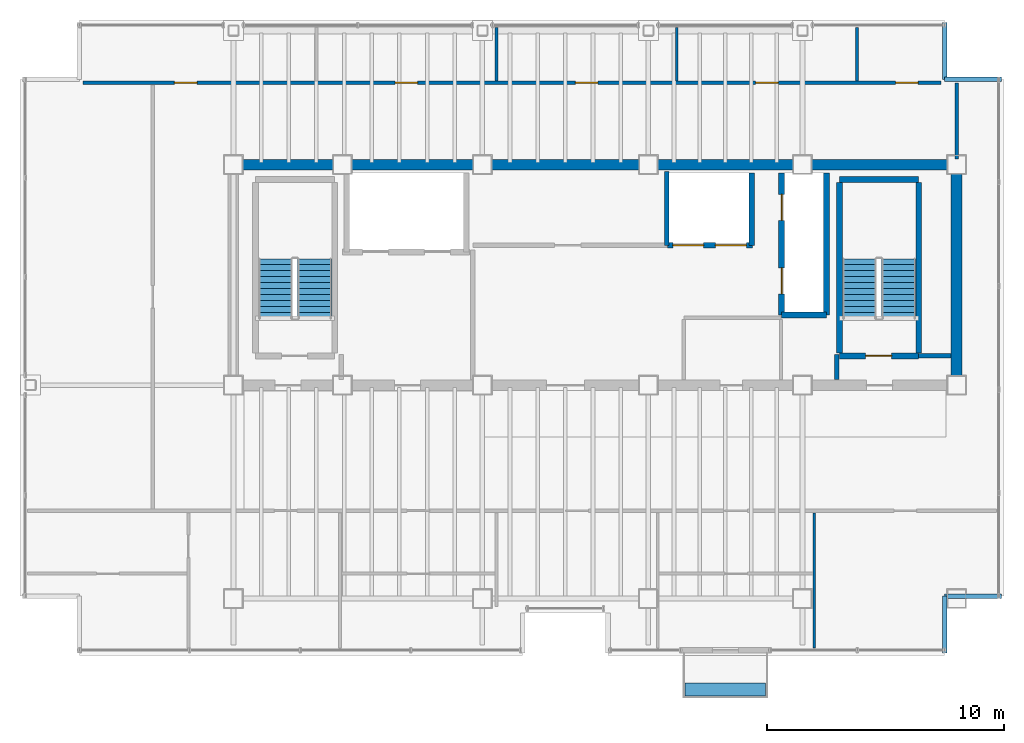
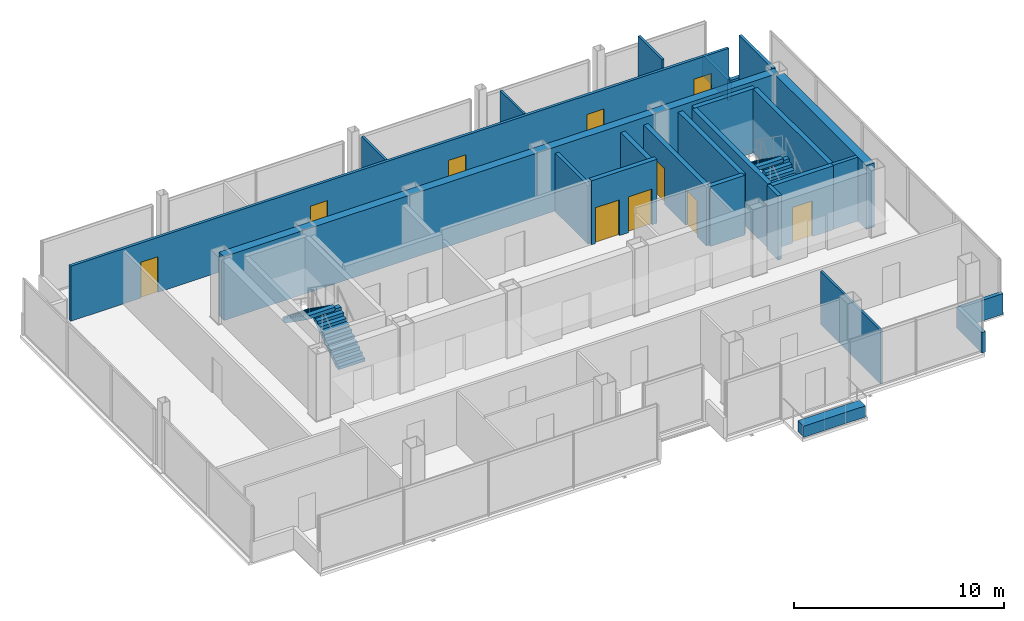
# One storey, part 16 of 17: 24 walls, 10 doors, 4 stair flights, 1 discrete accessory, 10 openings, 2 elements without a shape of their own.
"""IFC4 building model written with IfcOpenShell, lengths in metres."""

import ifcopenshell
import ifcopenshell.guid

model = None  # the IFC model being written
_history = None  # IfcOwnerHistory: only IFC2X3 demands one
_inside = {}  # id of a spatial element -> (the spatial element, [elements in it])
_under = {}  # id of a project, library or spatial element -> (it, [spatial elements below it])
_declared = {}  # id of a project -> (the project, [libraries it declares])
_typed = {}  # id of a type object -> (the type object, [elements of that type])
_made_of = {}  # id of a material, layer set ... -> (it, [elements and type objects made of it])


def new_model(schema):
    """Start an empty IFC model of exactly this schema.

    Asked for "IFC4X3", IfcOpenShell would pick the latest addendum, in which some entities
    have other attributes; the version numbers below select the first issue.
    IFC2X3 requires an IfcOwnerHistory on every rooted entity: one is made here for all.
    """
    global model, _history
    if schema == "IFC4X3":
        model = ifcopenshell.file(schema_version=(4, 3, 0, 0))
    else:
        model = ifcopenshell.file(schema=schema)
    _inside.clear()
    _under.clear()
    _declared.clear()
    _typed.clear()
    _made_of.clear()
    _history = None
    if model.schema == "IFC2X3":
        org = make("IfcOrganization", Name="unknown")
        user = make(
            "IfcPersonAndOrganization",
            ThePerson=make("IfcPerson", FamilyName="unknown"),
            TheOrganization=org,
        )
        app = make(
            "IfcApplication",
            ApplicationDeveloper=org,
            Version="unknown",
            ApplicationFullName="unknown",
            ApplicationIdentifier="unknown",
        )
        _history = make(
            "IfcOwnerHistory",
            OwningUser=user,
            OwningApplication=app,
            ChangeAction="ADDED",
            CreationDate=0,
        )
    return model


def make(cls, **values):
    """One entity of the class cls with the attributes given. An attribute that is None is left unset."""
    return model.create_entity(
        cls, **{name: value for name, value in values.items() if value is not None}
    )


def rooted(cls, **values):
    """An entity with a GlobalId (a new one), such as an element, a storey or a relation."""
    return make(cls, GlobalId=ifcopenshell.guid.new(), OwnerHistory=_history, **values)


def si_unit(unit_type, name, prefix=None):
    """IfcSIUnit, for example si_unit("LENGTHUNIT", "METRE", prefix="MILLI")."""
    return make("IfcSIUnit", UnitType=unit_type, Prefix=prefix, Name=name)


def assignment(units):
    """IfcUnitAssignment: the units of a project."""
    return None if units is None else make("IfcUnitAssignment", Units=units)


def point(xyz):
    """IfcCartesianPoint."""
    return None if xyz is None else make("IfcCartesianPoint", Coordinates=xyz)


def direction(xyz):
    """IfcDirection."""
    return None if xyz is None else make("IfcDirection", DirectionRatios=xyz)


def frame(location, z_axis=None, x_axis=None):
    """IfcAxis2Placement3D, a coordinate frame: its origin and axes. An axis left out is left unset."""
    return make(
        "IfcAxis2Placement3D",
        Location=point(location),
        Axis=direction(z_axis),
        RefDirection=direction(x_axis),
    )


def frame_2d(location, x_axis=None):
    """IfcAxis2Placement2D, a coordinate frame in the plane: its origin and x axis."""
    return make(
        "IfcAxis2Placement2D", Location=point(location), RefDirection=direction(x_axis)
    )


def origin():
    """The frame at (0, 0, 0) with its axes left unset."""
    return frame((0.0, 0.0, 0.0))


def origin_2d():
    """The frame at (0, 0) in the plane with its x axis left unset."""
    return frame_2d((0.0, 0.0))


def place(relative_to, where):
    """IfcLocalPlacement: puts the frame where relative to a parent placement (None: the world)."""
    return make(
        "IfcLocalPlacement", PlacementRelTo=relative_to, RelativePlacement=where
    )


def context(
    kind, dimensions, precision=None, world=None, true_north=None, identifier=None
):
    """IfcGeometricRepresentationContext, for example the 3D "Model" context."""
    return make(
        "IfcGeometricRepresentationContext",
        ContextIdentifier=identifier,
        ContextType=kind,
        CoordinateSpaceDimension=dimensions,
        Precision=precision,
        WorldCoordinateSystem=world,
        TrueNorth=true_north,
    )


def subcontext(parent, identifier, kind, view, scale=None):
    """IfcGeometricRepresentationSubContext, for example "Body" below "Model"."""
    return make(
        "IfcGeometricRepresentationSubContext",
        ContextIdentifier=identifier,
        ContextType=kind,
        ParentContext=parent,
        TargetScale=scale,
        TargetView=view,
    )


def project(units=None, contexts=None):
    """IfcProject with its units and contexts."""
    return rooted(
        "IfcProject",
        Name="project",
        RepresentationContexts=contexts,
        UnitsInContext=assignment(units),
    )


def spatial(cls, under=None, at=None, **own):
    """A site, building, storey or space (cls), placed at a placement, below another one or the project."""
    s = rooted(cls, ObjectPlacement=at, **own)
    if under is not None:
        _under.setdefault(under.id(), (under, []))[1].append(s)
    return s


def polyline(points):
    """IfcPolyline through the points."""
    return make("IfcPolyline", Points=[point(p) for p in points])


def profile(cls, at=None, kind="AREA", **sizes):
    """A parametric profile (cls). Its sizes go by their IFC names, for example OverallWidth=200.0."""
    return make(cls, ProfileType=kind, Position=at, **sizes)


def rectangle(**sizes):
    """IfcRectangleProfileDef."""
    return profile("IfcRectangleProfileDef", **sizes)


def outline(outer, holes=None, kind="AREA"):
    """IfcArbitraryClosedProfileDef: a profile drawn as a closed curve; with holes, ...WithVoids."""
    if holes is None:
        return make("IfcArbitraryClosedProfileDef", ProfileType=kind, OuterCurve=outer)
    return make(
        "IfcArbitraryProfileDefWithVoids",
        ProfileType=kind,
        OuterCurve=outer,
        InnerCurves=holes,
    )


def extrude(swept, where, along, depth):
    """IfcExtrudedAreaSolid: the profile swept, set in the frame where, extruded along a direction by depth."""
    return make(
        "IfcExtrudedAreaSolid",
        SweptArea=swept,
        Position=where,
        ExtrudedDirection=direction(along),
        Depth=depth,
    )


def shape(context_of_items, identifier, shape_type, items):
    """IfcShapeRepresentation: the items that make up one representation, for example the "Body"."""
    return make(
        "IfcShapeRepresentation",
        ContextOfItems=context_of_items,
        RepresentationIdentifier=identifier,
        RepresentationType=shape_type,
        Items=items,
    )


def material(Name=None, Category=None):
    """IfcMaterial."""
    return make("IfcMaterial", Name=Name, Category=Category)


def layer(
    of_material, thickness, ventilated=None, Name=None, Category=None, Priority=None
):
    """IfcMaterialLayer: one layer of a wall or slab, of a material (None: an air gap)."""
    return make(
        "IfcMaterialLayer",
        Material=of_material,
        LayerThickness=thickness,
        IsVentilated=ventilated,
        Name=Name,
        Category=Category,
        Priority=Priority,
    )


def layer_set(layers, Name=None):
    """IfcMaterialLayerSet."""
    return make("IfcMaterialLayerSet", MaterialLayers=layers, LayerSetName=Name)


def made_of(thing, what):
    """Note that an element or type object is made of a material, layer set ...; save() writes the relation."""
    if what is not None:
        _made_of.setdefault(what.id(), (what, []))[1].append(thing)
    return thing


def type_object(cls, material=None, **own):
    """A type object (cls), such as IfcWallType, which elements share."""
    return made_of(rooted(cls, **own), material)


def element(
    cls,
    number,
    at=None,
    inside=None,
    cuts=None,
    type_object=None,
    material=None,
    context=None,
    identifier="Body",
    shape_type=None,
    held_by="IfcProductDefinitionShape",
    body=None,
    shapes=None,
    **own,
):
    """One element of the class cls, such as IfcWall. Its Tag is "e" and its number.

    at: its placement. inside: the storey or other place that contains it. cuts: it is an
    opening in that element (IfcRelVoidsElement). A single representation is given by context,
    identifier, shape_type and body (its items); several are given by shapes. held_by: the class
    of the entity that holds the representations. save() writes the other relations.
    """
    e = rooted(cls, Tag="e%d" % number, ObjectPlacement=at, **own)
    if body is not None:
        shapes = [shape(context, identifier, shape_type, body)]
    if shapes is not None:
        e.Representation = make(held_by, Representations=shapes)
    if inside is not None:
        _inside.setdefault(inside.id(), (inside, []))[1].append(e)
    if cuts is not None:
        rooted(
            "IfcRelVoidsElement", RelatingBuildingElement=cuts, RelatedOpeningElement=e
        )
    if type_object is not None:
        _typed.setdefault(type_object.id(), (type_object, []))[1].append(e)
    return made_of(e, material)


def fill(opening, filler):
    """IfcRelFillsElement: the door or window that sits in an opening."""
    return rooted(
        "IfcRelFillsElement",
        RelatingOpeningElement=opening,
        RelatedBuildingElement=filler,
    )


def aggregate(whole, parts):
    """IfcRelAggregates: a whole, such as a stair, and the parts it consists of."""
    return rooted("IfcRelAggregates", RelatingObject=whole, RelatedObjects=parts)


def save(model, path):
    """Write the relations noted so far, then the file.

    IfcRelAggregates (storeys below a building ...), IfcRelContainedInSpatialStructure (elements
    in a storey), IfcRelDefinesByType, IfcRelAssociatesMaterial and IfcRelDeclares: one each for
    every whole, place, type object, material and project.
    """
    for whole, parts in _under.values():
        aggregate(whole, parts)
    for where, things in _inside.values():
        rooted(
            "IfcRelContainedInSpatialStructure",
            RelatedElements=things,
            RelatingStructure=where,
        )
    for kind, things in _typed.values():
        rooted("IfcRelDefinesByType", RelatedObjects=things, RelatingType=kind)
    for what, things in _made_of.values():
        rooted("IfcRelAssociatesMaterial", RelatedObjects=things, RelatingMaterial=what)
    for by, libraries in _declared.values():
        rooted("IfcRelDeclares", RelatingContext=by, RelatedDefinitions=libraries)
    model.write(path)


model = new_model("IFC4")

# Units and contexts
model_context = context("Model", 3, precision=1e-05, world=origin(), true_north=direction((0.0, 1.0)))
body_context = subcontext(model_context, "Body", "Model", "MODEL_VIEW")
ifc_project = project(units=[si_unit("LENGTHUNIT", "METRE"), si_unit("AREAUNIT", "SQUARE_METRE"), si_unit("VOLUMEUNIT", "CUBIC_METRE"), si_unit("PLANEANGLEUNIT", "RADIAN"), si_unit("MASSUNIT", "GRAM", prefix="KILO")], contexts=[model_context])

# Site, building, storey
site_placement = place(None, origin())
site = spatial("IfcSite", under=ifc_project, at=site_placement, CompositionType="ELEMENT")
building_placement = place(site_placement, origin())
building = spatial("IfcBuilding", under=site, at=building_placement, Name="Noeulbin Bourse Tower", CompositionType="ELEMENT")
storey_placement = place(building_placement, frame((0.0, 0.0, 265.699951171875)))
storey = spatial("IfcBuildingStorey", under=building, at=storey_placement, Name="L66", CompositionType="ELEMENT", Elevation=265.699951171875)

# Walls
ifc_material_1 = material(Name="Concrete C50/60", Category="concrete")
ifc_layer_1 = layer(ifc_material_1, 0.449951171875)
ifc_layer_set_1 = layer_set([ifc_layer_1], Name="Concrete C50/60")
wall_type_1 = type_object("IfcWallType", Name="WAL-CORE-450", PredefinedType="SHEAR", material=ifc_layer_set_1)
wall_1_placement = place(storey_placement, frame((13.5, 38.300048828125, 0.0), z_axis=(0.0, 0.0, 1.0), x_axis=(1.0, 0.0, 0.0)))
element("IfcWall", 1, at=wall_1_placement, inside=storey, type_object=wall_type_1, Name="Rear Core North Shear Wall L66", PredefinedType="SHEAR", context=body_context, shape_type="SweptSolid", body=[
    extrude(rectangle(XDim=30.5, YDim=0.449951171875, at=frame_2d((15.25, 0.0))), origin(), (0.0, 0.0, 1.0), 3.719970703125),
])
wall_2_placement = place(storey_placement, frame((44.0, 29.35009765625, 0.0), z_axis=(0.0, 0.0, 1.0), x_axis=(0.0, 1.0, 0.0)))
element("IfcWall", 2, at=wall_2_placement, inside=storey, type_object=wall_type_1, Name="Rear Core East Shear Wall L66", PredefinedType="SHEAR", context=body_context, shape_type="SweptSolid", body=[
    extrude(rectangle(XDim=8.599853515625, YDim=0.449951171875, at=frame_2d((4.2998046875, 0.0))), origin(), (0.0, 0.0, 1.0), 3.719970703125),
])
ifc_material_2 = material(Name="Concrete C40/50", Category="concrete")
ifc_layer_2 = layer(ifc_material_2, 0.199951171875)
ifc_layer_set_2 = layer_set([ifc_layer_2], Name="Concrete C40/50")
wall_type_2 = type_object("IfcWallType", Name="WAL-FIRE-200", PredefinedType="STANDARD", material=ifc_layer_set_2)
wall_3_placement = place(storey_placement, frame((42.39990234375, 30.239990234375, 0.0), z_axis=(0.0, 0.0, 1.0), x_axis=(1.0, 0.0, 0.0)))
element("IfcWall", 3, at=wall_3_placement, inside=storey, type_object=wall_type_2, Name="Interior Partition Wall L66-01", PredefinedType="STANDARD", context=body_context, shape_type="SweptSolid", body=[
    extrude(rectangle(XDim=1.364990234375, YDim=0.199951171875, at=frame_2d((0.6826171875, 0.0))), origin(), (0.0, 0.0, 1.0), 3.719970703125),
])
wall_4_placement = place(storey_placement, frame((38.949951171875, 29.235107421875, 0.0), z_axis=(0.0, 0.0, 1.0), x_axis=(0.0, 1.0, 0.0)))
element("IfcWall", 4, at=wall_4_placement, inside=storey, type_object=wall_type_2, Name="Interior Partition Wall L66-10", PredefinedType="STANDARD", context=body_context, shape_type="SweptSolid", body=[
    extrude(rectangle(XDim=1.06494140625, YDim=0.199951171875, at=frame_2d((0.532470703125, 0.0))), origin(), (0.0, 0.0, 1.0), 3.719970703125),
])
ifc_layer_3 = layer(ifc_material_2, 0.199951171875)
ifc_layer_set_3 = layer_set([ifc_layer_3], Name="Concrete C40/50")
wall_type_3 = type_object("IfcWallType", Name="WAL-PAR-200", PredefinedType="PARAPET", material=ifc_layer_set_3)
wall_5_placement = place(storey_placement, frame((43.5, 17.699951171875, 0.0), z_axis=(0.0, 0.0, 1.0), x_axis=(0.0, 1.0, 0.0)))
element("IfcWall", 5, at=wall_5_placement, inside=storey, type_object=wall_type_3, Name="Corner Notch Parapet L66-SE1", PredefinedType="PARAPET", context=body_context, shape_type="SweptSolid", body=[
    extrude(rectangle(XDim=2.400146484375, YDim=0.199951171875, at=frame_2d((1.2001953125, 0.0))), origin(), (0.0, 0.0, 1.0), 1.199951171875),
])
wall_6_placement = place(storey_placement, frame((43.5, 20.10009765625, 0.0), z_axis=(0.0, 0.0, 1.0), x_axis=(1.0, 0.0, 0.0)))
element("IfcWall", 6, at=wall_6_placement, inside=storey, type_object=wall_type_3, Name="Corner Notch Parapet L66-SE2", PredefinedType="PARAPET", context=body_context, shape_type="SweptSolid", body=[
    extrude(rectangle(XDim=2.39990234375, YDim=0.199951171875, at=frame_2d((1.199951171875, 0.0))), origin(), (0.0, 0.0, 1.0), 1.199951171875),
])
wall_7_placement = place(storey_placement, frame((43.5, 44.300048828125, 0.0), z_axis=(0.0, 0.0, 1.0), x_axis=(0.0, -1.0, 0.0)))
element("IfcWall", 7, at=wall_7_placement, inside=storey, type_object=wall_type_3, Name="Corner Notch Parapet L66-NE1", PredefinedType="PARAPET", context=body_context, shape_type="SweptSolid", body=[
    extrude(rectangle(XDim=2.400146484375, YDim=0.199951171875, at=frame_2d((1.2001953125, 0.0))), origin(), (0.0, 0.0, 1.0), 1.199951171875),
])
wall_8_placement = place(storey_placement, frame((43.5, 41.89990234375, 0.0), z_axis=(0.0, 0.0, 1.0), x_axis=(1.0, 0.0, 0.0)))
element("IfcWall", 8, at=wall_8_placement, inside=storey, type_object=wall_type_3, Name="Corner Notch Parapet L66-NE2", PredefinedType="PARAPET", context=body_context, shape_type="SweptSolid", body=[
    extrude(rectangle(XDim=2.39990234375, YDim=0.199951171875, at=frame_2d((1.199951171875, 0.0))), origin(), (0.0, 0.0, 1.0), 1.199951171875),
])
ifc_material_3 = material(Name="Steel Stud Gypsum Partition", Category="steel")
ifc_layer_4 = layer(ifc_material_3, 0.1201171875)
ifc_layer_set_4 = layer_set([ifc_layer_4], Name="Steel Stud Gypsum Partition")
wall_type_4 = type_object("IfcWallType", Name="WAL-PRT-120", PredefinedType="PARTITIONING", material=ifc_layer_set_4)
wall_9_placement = place(storey_placement, frame((38.0, 17.909912109375, 0.0), z_axis=(0.0, 0.0, 1.0), x_axis=(0.0, 1.0, 0.0)))
element("IfcWall", 9, at=wall_9_placement, inside=storey, type_object=wall_type_4, Name="Interior Partition Wall L66-19", PredefinedType="PARTITIONING", context=body_context, shape_type="SweptSolid", body=[
    extrude(rectangle(XDim=5.705078125, YDim=0.1201171875, at=frame_2d((2.8525390625, 0.0))), origin(), (0.0, 0.0, 1.0), 3.10009765625),
])
wall_10_placement = place(storey_placement, frame((24.60009765625, 41.8349609375, 0.0), z_axis=(0.0, 0.0, 1.0), x_axis=(0.0, 1.0, 0.0)))
element("IfcWall", 10, at=wall_10_placement, inside=storey, type_object=wall_type_4, Name="Interior Partition Wall L66-22", PredefinedType="PARTITIONING", context=body_context, shape_type="SweptSolid", body=[
    extrude(rectangle(XDim=2.255126953125, YDim=0.1201171875, at=frame_2d((1.12744140625, 0.0))), origin(), (0.0, 0.0, 1.0), 3.199951171875),
])
wall_11_placement = place(storey_placement, frame((32.199951171875, 41.8349609375, 0.0), z_axis=(0.0, 0.0, 1.0), x_axis=(0.0, 1.0, 0.0)))
element("IfcWall", 11, at=wall_11_placement, inside=storey, type_object=wall_type_4, Name="Interior Partition Wall L66-23", PredefinedType="PARTITIONING", context=body_context, shape_type="SweptSolid", body=[
    extrude(rectangle(XDim=2.255126953125, YDim=0.1201171875, at=frame_2d((1.12744140625, 0.0))), origin(), (0.0, 0.0, 1.0), 3.212158203125),
])
wall_12_placement = place(storey_placement, frame((39.800048828125, 41.8349609375, 0.0), z_axis=(0.0, 0.0, 1.0), x_axis=(0.0, 1.0, 0.0)))
element("IfcWall", 12, at=wall_12_placement, inside=storey, type_object=wall_type_4, Name="Interior Partition Wall L66-24", PredefinedType="PARTITIONING", context=body_context, shape_type="SweptSolid", body=[
    extrude(rectangle(XDim=2.255126953125, YDim=0.1201171875, at=frame_2d((1.12744140625, 0.0))), origin(), (0.0, 0.0, 1.0), 3.719970703125),
])

# Wall, openings, doors
ifc_material_4 = material(Name="Steel Stud Acoustic Gypsum Board", Category="steel")
ifc_layer_5 = layer(ifc_material_4, 0.14990234375)
ifc_layer_set_5 = layer_set([ifc_layer_5], Name="Steel Stud Acoustic Gypsum Board")
wall_type_5 = type_object("IfcWallType", Name="WAL-PRT-150", PredefinedType="PARTITIONING", material=ifc_layer_set_5)
wall_13_placement = place(storey_placement, frame((7.159912109375, 41.75, 0.0), z_axis=(0.0, 0.0, 1.0), x_axis=(1.0, 0.0, 0.0)))
wall_13 = element("IfcWall", 13, at=wall_13_placement, inside=storey, type_object=wall_type_5, Name="Interior Partition Wall L66-08", PredefinedType="PARTITIONING", context=body_context, shape_type="SweptSolid", body=[
    extrude(rectangle(XDim=36.18017578125, YDim=0.14990234375, at=frame_2d((18.090087890625, 0.0))), origin(), (0.0, 0.0, 1.0), 3.199951171875),
])
opening_1_placement = place(wall_13_placement, frame((3.85498046875, 0.0, 0.0)))
opening_1 = element("IfcOpeningElement", 14, at=opening_1_placement, cuts=wall_13, Name="Opening ID-09", PredefinedType="OPENING", context=body_context, shape_type="SweptSolid", body=[
    extrude(rectangle(XDim=0.949951171875, YDim=2.080078125, at=frame_2d((0.47509765625, 1.0400390625))), frame((0.0, 0.0849609375, 0.0), z_axis=(0.0, -1.0, 0.0), x_axis=(1.0, 0.0, 0.0)), (0.0, 0.0, 1.0), 0.169921875),
])
opening_2_placement = place(wall_13_placement, frame((13.1650390625, 0.0, 0.0)))
opening_2 = element("IfcOpeningElement", 15, at=opening_2_placement, cuts=wall_13, Name="Opening ID-09", PredefinedType="OPENING", context=body_context, shape_type="SweptSolid", body=[
    extrude(rectangle(XDim=0.949951171875, YDim=2.080078125, at=frame_2d((0.47509765625, 1.0400390625))), frame((0.0, 0.0849609375, 0.0), z_axis=(0.0, -1.0, 0.0), x_axis=(1.0, 0.0, 0.0)), (0.0, 0.0, 1.0), 0.169921875),
])
opening_3_placement = place(wall_13_placement, frame((20.764892578125, 0.0, 0.0)))
opening_3 = element("IfcOpeningElement", 16, at=opening_3_placement, cuts=wall_13, Name="Opening ID-09", PredefinedType="OPENING", context=body_context, shape_type="SweptSolid", body=[
    extrude(rectangle(XDim=0.949951171875, YDim=2.080078125, at=frame_2d((0.47509765625, 1.0400390625))), frame((0.0, 0.0849609375, 0.0), z_axis=(0.0, -1.0, 0.0), x_axis=(1.0, 0.0, 0.0)), (0.0, 0.0, 1.0), 0.169921875),
])
opening_4_placement = place(wall_13_placement, frame((28.364990234375, 0.0, 0.0)))
opening_4 = element("IfcOpeningElement", 17, at=opening_4_placement, cuts=wall_13, Name="Opening ID-09", PredefinedType="OPENING", context=body_context, shape_type="SweptSolid", body=[
    extrude(rectangle(XDim=0.949951171875, YDim=2.080078125, at=frame_2d((0.47509765625, 1.0400390625))), frame((0.0, 0.0849609375, 0.0), z_axis=(0.0, -1.0, 0.0), x_axis=(1.0, 0.0, 0.0)), (0.0, 0.0, 1.0), 0.169921875),
])
opening_5_placement = place(wall_13_placement, frame((34.264892578125, 0.0, 0.0)))
opening_5 = element("IfcOpeningElement", 18, at=opening_5_placement, cuts=wall_13, Name="Opening ID-09", PredefinedType="OPENING", context=body_context, shape_type="SweptSolid", body=[
    extrude(rectangle(XDim=0.949951171875, YDim=2.080078125, at=frame_2d((0.47509765625, 1.0400390625))), frame((0.0, 0.0849609375, 0.0), z_axis=(0.0, -1.0, 0.0), x_axis=(1.0, 0.0, 0.0)), (0.0, 0.0, 1.0), 0.169921875),
])
ifc_material_5 = material(Name="Acoustic Solid-Core Timber", Category="wood")
door_type_1 = type_object("IfcDoorType", Name="DR-SINGLE-950", OperationType="SINGLE_SWING_LEFT", PredefinedType="DOOR", material=ifc_material_5)
door_1_placement = place(opening_1_placement, origin())
door_1 = element("IfcDoor", 19, at=door_1_placement, inside=storey, type_object=door_type_1, Name="Interior Door L66-17", OperationType="SINGLE_SWING_RIGHT", OverallHeight=2.080078125, OverallWidth=0.949951171875, PredefinedType="DOOR", context=body_context, shape_type="SweptSolid", body=[
    extrude(rectangle(XDim=0.949951171875, YDim=2.080078125, at=frame_2d((0.47509765625, 1.0400390625))), frame((0.0, 0.02490234375, 0.0), z_axis=(0.0, -1.0, 0.0), x_axis=(1.0, 0.0, 0.0)), (0.0, 0.0, 1.0), 0.050048828125),
])
fill(opening_1, door_1)
door_2_placement = place(opening_2_placement, origin())
door_2 = element("IfcDoor", 20, at=door_2_placement, inside=storey, type_object=door_type_1, Name="Interior Door L66-18", OperationType="SINGLE_SWING_LEFT", OverallHeight=2.080078125, OverallWidth=0.949951171875, PredefinedType="DOOR", context=body_context, shape_type="SweptSolid", body=[
    extrude(rectangle(XDim=0.949951171875, YDim=2.080078125, at=frame_2d((0.47509765625, 1.0400390625))), frame((0.0, 0.02490234375, 0.0), z_axis=(0.0, -1.0, 0.0), x_axis=(1.0, 0.0, 0.0)), (0.0, 0.0, 1.0), 0.050048828125),
])
fill(opening_2, door_2)
door_3_placement = place(opening_3_placement, origin())
door_3 = element("IfcDoor", 21, at=door_3_placement, inside=storey, type_object=door_type_1, Name="Interior Door L66-19", OperationType="SINGLE_SWING_RIGHT", OverallHeight=2.080078125, OverallWidth=0.949951171875, PredefinedType="DOOR", context=body_context, shape_type="SweptSolid", body=[
    extrude(rectangle(XDim=0.949951171875, YDim=2.080078125, at=frame_2d((0.47509765625, 1.0400390625))), frame((0.0, 0.02490234375, 0.0), z_axis=(0.0, -1.0, 0.0), x_axis=(1.0, 0.0, 0.0)), (0.0, 0.0, 1.0), 0.050048828125),
])
fill(opening_3, door_3)
door_4_placement = place(opening_4_placement, origin())
door_4 = element("IfcDoor", 22, at=door_4_placement, inside=storey, type_object=door_type_1, Name="Interior Door L66-20", OperationType="SINGLE_SWING_LEFT", OverallHeight=2.080078125, OverallWidth=0.949951171875, PredefinedType="DOOR", context=body_context, shape_type="SweptSolid", body=[
    extrude(rectangle(XDim=0.949951171875, YDim=2.080078125, at=frame_2d((0.47509765625, 1.0400390625))), frame((0.0, 0.02490234375, 0.0), z_axis=(0.0, -1.0, 0.0), x_axis=(1.0, 0.0, 0.0)), (0.0, 0.0, 1.0), 0.050048828125),
])
fill(opening_4, door_4)
door_5_placement = place(opening_5_placement, origin())
door_5 = element("IfcDoor", 23, at=door_5_placement, inside=storey, type_object=door_type_1, Name="Interior Door L66-21", OperationType="SINGLE_SWING_RIGHT", OverallHeight=2.080078125, OverallWidth=0.949951171875, PredefinedType="DOOR", context=body_context, shape_type="SweptSolid", body=[
    extrude(rectangle(XDim=0.949951171875, YDim=2.080078125, at=frame_2d((0.47509765625, 1.0400390625))), frame((0.0, 0.02490234375, 0.0), z_axis=(0.0, -1.0, 0.0), x_axis=(1.0, 0.0, 0.0)), (0.0, 0.0, 1.0), 0.050048828125),
])
fill(opening_5, door_5)

# Wall
wall_14_placement = place(storey_placement, frame((44.0, 38.534912109375, 0.0), z_axis=(0.0, 0.0, 1.0), x_axis=(0.0, 1.0, 0.0)))
element("IfcWall", 24, at=wall_14_placement, inside=storey, type_object=wall_type_5, Name="Interior Partition Wall L66-20", PredefinedType="PARTITIONING", context=body_context, shape_type="SweptSolid", body=[
    extrude(rectangle(XDim=3.205078125, YDim=0.14990234375, at=frame_2d((1.6025390625, 0.0))), origin(), (0.0, 0.0, 1.0), 3.719970703125),
])

# Wall, opening, door
ifc_layer_6 = layer(ifc_material_2, 0.25)
ifc_layer_set_6 = layer_set([ifc_layer_6], Name="Concrete C40/50")
wall_type_6 = type_object("IfcWallType", Name="WAL-SHFT-250", PredefinedType="STANDARD", material=ifc_layer_set_6)
wall_15_placement = place(storey_placement, frame((39.06005859375, 30.235107421875, 0.0), z_axis=(0.0, 0.0, 1.0), x_axis=(1.0, 0.0, 0.0)))
wall_15 = element("IfcWall", 25, at=wall_15_placement, inside=storey, type_object=wall_type_6, Name="Stair ST-2 South Shaft Wall L66", PredefinedType="STANDARD", context=body_context, shape_type="SweptSolid", body=[
    extrude(rectangle(XDim=3.33984375, YDim=0.25, at=frame_2d((1.669921875, 0.0))), origin(), (0.0, 0.0, 1.0), 3.719970703125),
])
opening_6_placement = place(wall_15_placement, frame((1.10009765625, 0.0, 0.0)))
opening_6 = element("IfcOpeningElement", 26, at=opening_6_placement, cuts=wall_15, Name="Opening FD-11", PredefinedType="OPENING", context=body_context, shape_type="SweptSolid", body=[
    extrude(rectangle(XDim=1.10009765625, YDim=2.080078125, at=frame_2d((0.550048828125, 1.0400390625))), frame((0.0, 0.135009765625, 0.0), z_axis=(0.0, -1.0, 0.0), x_axis=(1.0, 0.0, 0.0)), (0.0, 0.0, 1.0), 0.27001953125),
])
ifc_material_6 = material(Name="Fire-Rated Insulated Steel", Category="steel")
door_type_2 = type_object("IfcDoorType", Name="DR-FD60-1100", OperationType="SINGLE_SWING_LEFT", PredefinedType="DOOR", material=ifc_material_6)
door_6_placement = place(opening_6_placement, origin())
door_6 = element("IfcDoor", 27, at=door_6_placement, inside=storey, type_object=door_type_2, Name="Protected Stair Entry Door ST2-L66", OperationType="SINGLE_SWING_LEFT", OverallHeight=2.080078125, OverallWidth=1.10009765625, PredefinedType="DOOR", context=body_context, shape_type="SweptSolid", body=[
    extrude(rectangle(XDim=1.10009765625, YDim=2.080078125, at=frame_2d((0.550048828125, 1.0400390625))), frame((0.0, 0.02490234375, 0.0), z_axis=(0.0, -1.0, 0.0), x_axis=(1.0, 0.0, 0.0)), (0.0, 0.0, 1.0), 0.050048828125),
])
fill(opening_6, door_6)

# Walls
wall_16_placement = place(storey_placement, frame((39.06005859375, 37.6689453125, 0.0), z_axis=(0.0, 0.0, 1.0), x_axis=(1.0, 0.0, 0.0)))
element("IfcWall", 28, at=wall_16_placement, inside=storey, type_object=wall_type_6, Name="Stair ST-2 North Shaft Wall L66", PredefinedType="STANDARD", context=body_context, shape_type="SweptSolid", body=[
    extrude(rectangle(XDim=3.33984375, YDim=0.25, at=frame_2d((1.669921875, 0.0))), origin(), (0.0, 0.0, 1.0), 3.719970703125),
])
for number, where, z_axis, x_axis, name in (
    (29, (39.054931640625, 30.360107421875, 0.0), (0.0, 0.0, 1.0), (0.0, 1.0, 0.0), "Stair ST-2 West Shaft Wall L66"),
    (30, (42.405029296875, 30.360107421875, 0.0), (0.0, 0.0, 1.0), (0.0, 1.0, 0.0), "Stair ST-2 East Shaft Wall L66"),
):
    element("IfcWall", number, at=place(storey_placement, frame(where, z_axis=z_axis, x_axis=x_axis)), inside=storey, type_object=wall_type_6, Name=name, PredefinedType="STANDARD", context=body_context, shape_type="SweptSolid", body=[
        extrude(rectangle(XDim=7.183837890625, YDim=0.25, at=frame_2d((3.591796875, 0.0))), origin(), (0.0, 0.0, 1.0), 3.719970703125),
    ])

# Wall, openings, doors
wall_17_placement = place(storey_placement, frame((36.6201171875, 31.949951171875, 0.0), z_axis=(0.0, 0.0, 1.0), x_axis=(0.0, 1.0, 0.0)))
wall_17 = element("IfcWall", 31, at=wall_17_placement, inside=storey, type_object=wall_type_6, Name="Service Lift Shaft Wall L66", PredefinedType="STANDARD", context=body_context, shape_type="SweptSolid", body=[
    extrude(rectangle(XDim=6.0, YDim=0.25, at=frame_2d((3.0, 0.0))), origin(), (0.0, 0.0, 1.0), 3.400146484375),
])
opening_7_placement = place(wall_17_placement, frame((0.89990234375, 0.0, 0.0)))
opening_7 = element("IfcOpeningElement", 32, at=opening_7_placement, cuts=wall_17, Name="Opening LD-11", PredefinedType="OPENING", context=body_context, shape_type="SweptSolid", body=[
    extrude(rectangle(XDim=1.10009765625, YDim=2.080078125, at=frame_2d((0.550048828125, 1.0400390625))), frame((0.0, 0.135009765625, 0.0), z_axis=(0.0, -1.0, 0.0), x_axis=(1.0, 0.0, 0.0)), (0.0, 0.0, 1.0), 0.27001953125),
])
opening_8_placement = place(wall_17_placement, frame((4.0, 0.0, 0.0)))
opening_8 = element("IfcOpeningElement", 33, at=opening_8_placement, cuts=wall_17, Name="Opening LD-11", PredefinedType="OPENING", context=body_context, shape_type="SweptSolid", body=[
    extrude(rectangle(XDim=1.10009765625, YDim=2.080078125, at=frame_2d((0.550048828125, 1.0400390625))), frame((0.0, 0.135009765625, 0.0), z_axis=(0.0, -1.0, 0.0), x_axis=(1.0, 0.0, 0.0)), (0.0, 0.0, 1.0), 0.27001953125),
])
ifc_material_7 = material(Name="Brushed Stainless Steel 316", Category="steel")
door_type_3 = type_object("IfcDoorType", Name="DR-LIFT-1100", OperationType="SLIDING_TO_LEFT", PredefinedType="DOOR", material=ifc_material_7)
door_7_placement = place(opening_7_placement, origin())
door_7 = element("IfcDoor", 34, at=door_7_placement, inside=storey, type_object=door_type_3, Name="Lift Landing Door LD-EL-01-L66", OperationType="SLIDING_TO_LEFT", OverallHeight=2.080078125, OverallWidth=1.10009765625, PredefinedType="DOOR", context=body_context, shape_type="SweptSolid", body=[
    extrude(rectangle(XDim=1.10009765625, YDim=2.080078125, at=frame_2d((0.550048828125, 1.0400390625))), frame((0.0, 0.02490234375, 0.0), z_axis=(0.0, -1.0, 0.0), x_axis=(1.0, 0.0, 0.0)), (0.0, 0.0, 1.0), 0.050048828125),
])
fill(opening_7, door_7)
door_8_placement = place(opening_8_placement, origin())
door_8 = element("IfcDoor", 35, at=door_8_placement, inside=storey, type_object=door_type_3, Name="Lift Landing Door LD-SV-01-L66", OperationType="SLIDING_TO_LEFT", OverallHeight=2.080078125, OverallWidth=1.10009765625, PredefinedType="DOOR", context=body_context, shape_type="SweptSolid", body=[
    extrude(rectangle(XDim=1.10009765625, YDim=2.080078125, at=frame_2d((0.550048828125, 1.0400390625))), frame((0.0, 0.02490234375, 0.0), z_axis=(0.0, -1.0, 0.0), x_axis=(1.0, 0.0, 0.0)), (0.0, 0.0, 1.0), 0.050048828125),
])
fill(opening_8, door_8)

# Walls
wall_18_placement = place(storey_placement, frame((38.52001953125, 31.949951171875, 0.0), z_axis=(0.0, 0.0, 1.0), x_axis=(0.0, 1.0, 0.0)))
element("IfcWall", 36, at=wall_18_placement, inside=storey, type_object=wall_type_6, Name="Service Lift East Shaft Wall L66", PredefinedType="STANDARD", context=body_context, shape_type="SweptSolid", body=[
    extrude(rectangle(XDim=6.0, YDim=0.25, at=frame_2d((3.0, 0.0))), origin(), (0.0, 0.0, 1.0), 3.47998046875),
])
wall_19_placement = place(storey_placement, frame((36.6201171875, 31.949951171875, 0.0), z_axis=(0.0, 0.0, 1.0), x_axis=(1.0, 0.0, 0.0)))
element("IfcWall", 37, at=wall_19_placement, inside=storey, type_object=wall_type_6, Name="Service Lift South Shaft Wall L66", PredefinedType="STANDARD", context=body_context, shape_type="SweptSolid", body=[
    extrude(rectangle(XDim=1.89990234375, YDim=0.25, at=frame_2d((0.949951171875, 0.0))), origin(), (0.0, 0.0, 1.0), 3.47998046875),
])
wall_20_placement = place(storey_placement, frame((35.360107421875, 34.89990234375, 0.0), z_axis=(0.0, 0.0, 1.0), x_axis=(0.0, 1.0, 0.0)))
element("IfcWall", 38, at=wall_20_placement, inside=storey, type_object=wall_type_6, Name="High-Rise Lift East Shaft Wall L66", PredefinedType="STANDARD", context=body_context, shape_type="SweptSolid", body=[
    extrude(rectangle(XDim=3.050048828125, YDim=0.25, at=frame_2d((1.52490234375, 0.0))), origin(), (0.0, 0.0, 1.0), 3.400146484375),
])

# Wall, openings, doors
wall_21_placement = place(storey_placement, frame((31.800048828125, 34.89990234375, 0.0), z_axis=(0.0, 0.0, 1.0), x_axis=(1.0, 0.0, 0.0)))
wall_21 = element("IfcWall", 39, at=wall_21_placement, inside=storey, type_object=wall_type_6, Name="High-Rise Lift Bank Front L66", PredefinedType="STANDARD", context=body_context, shape_type="SweptSolid", body=[
    extrude(rectangle(XDim=3.599853515625, YDim=0.25, at=frame_2d((1.7998046875, 0.0))), origin(), (0.0, 0.0, 1.0), 3.719970703125),
])
opening_9_placement = place(wall_21_placement, frame((0.22998046875, 0.0, 0.0)))
opening_9 = element("IfcOpeningElement", 40, at=opening_9_placement, cuts=wall_21, Name="Opening LD-13", PredefinedType="OPENING", context=body_context, shape_type="SweptSolid", body=[
    extrude(rectangle(XDim=1.300048828125, YDim=2.080078125, at=frame_2d((0.64990234375, 1.0400390625))), frame((0.0, 0.135009765625, 0.0), z_axis=(0.0, -1.0, 0.0), x_axis=(1.0, 0.0, 0.0)), (0.0, 0.0, 1.0), 0.27001953125),
])
opening_10_placement = place(wall_21_placement, frame((2.030029296875, 0.0, 0.0)))
opening_10 = element("IfcOpeningElement", 41, at=opening_10_placement, cuts=wall_21, Name="Opening LD-13", PredefinedType="OPENING", context=body_context, shape_type="SweptSolid", body=[
    extrude(rectangle(XDim=1.300048828125, YDim=2.080078125, at=frame_2d((0.64990234375, 1.0400390625))), frame((0.0, 0.135009765625, 0.0), z_axis=(0.0, -1.0, 0.0), x_axis=(1.0, 0.0, 0.0)), (0.0, 0.0, 1.0), 0.27001953125),
])
door_type_4 = type_object("IfcDoorType", Name="DR-LIFT-1300", OperationType="DOUBLE_DOOR_SLIDING", PredefinedType="DOOR", material=ifc_material_7)
door_9_placement = place(opening_9_placement, origin())
door_9 = element("IfcDoor", 42, at=door_9_placement, inside=storey, type_object=door_type_4, Name="Lift Landing Door LD-PL-H1-L66", OperationType="DOUBLE_DOOR_SLIDING", OverallHeight=2.080078125, OverallWidth=1.300048828125, PredefinedType="DOOR", context=body_context, shape_type="SweptSolid", body=[
    extrude(rectangle(XDim=1.300048828125, YDim=2.080078125, at=frame_2d((0.64990234375, 1.0400390625))), frame((0.0, 0.02490234375, 0.0), z_axis=(0.0, -1.0, 0.0), x_axis=(1.0, 0.0, 0.0)), (0.0, 0.0, 1.0), 0.050048828125),
])
fill(opening_9, door_9)
door_10_placement = place(opening_10_placement, origin())
door_10 = element("IfcDoor", 43, at=door_10_placement, inside=storey, type_object=door_type_4, Name="Lift Landing Door LD-PL-H2-L66", OperationType="DOUBLE_DOOR_SLIDING", OverallHeight=2.080078125, OverallWidth=1.300048828125, PredefinedType="DOOR", context=body_context, shape_type="SweptSolid", body=[
    extrude(rectangle(XDim=1.300048828125, YDim=2.080078125, at=frame_2d((0.64990234375, 1.0400390625))), frame((0.0, 0.02490234375, 0.0), z_axis=(0.0, -1.0, 0.0), x_axis=(1.0, 0.0, 0.0)), (0.0, 0.0, 1.0), 0.050048828125),
])
fill(opening_10, door_10)

# Wall
wall_22_placement = place(storey_placement, frame((31.780029296875, 34.89990234375, 0.0), z_axis=(0.0, 0.0, 1.0), x_axis=(0.0, 1.0, 0.0)))
element("IfcWall", 44, at=wall_22_placement, inside=storey, type_object=wall_type_6, Name="Hoistway Side Shaft Wall L66-PLHW", PredefinedType="STANDARD", context=body_context, shape_type="SweptSolid", body=[
    extrude(rectangle(XDim=3.1201171875, YDim=0.199951171875, at=frame_2d((1.56005859375, 0.0))), origin(), (0.0, 0.0, 1.0), 3.400146484375),
])

# Stair, stair flights
stair_type = type_object("IfcStairType", Name="STR-CORE-1560", PredefinedType="HALF_TURN_STAIR", material=ifc_material_2)
stair_1_placement = place(storey_placement, origin())
stair_1 = element("IfcStair", 45, at=stair_1_placement, inside=storey, type_object=stair_type, Name="L66 ST-1", PredefinedType="HALF_TURN_STAIR")
stair_flight_type = type_object("IfcStairFlightType", Name="SFL-CORE-1560", PredefinedType="STRAIGHT", material=ifc_material_2)
stair_flight_1_placement = place(storey_placement, frame((16.925048828125, 31.81005859375, 0.0), z_axis=(0.0, 0.0, 1.0), x_axis=(0.0, 1.0, 0.0)))
stair_flight_1 = element("IfcStairFlight", 46, at=stair_flight_1_placement, type_object=stair_flight_type, Name="ST-1 flight 1", NumberOfRisers=11, NumberOfTreads=10, PredefinedType="STRAIGHT", RiserHeight=0.177272727, TreadLength=0.252, context=body_context, shape_type="SweptSolid", body=[
    extrude(outline(polyline([(0.0, 0.0), (0.0, 0.17724609375), (0.251953125, 0.17724609375), (0.251953125, 0.3544921875), (0.50390625, 0.3544921875), (0.50390625, 0.53173828125), (0.756103515625, 0.53173828125), (0.756103515625, 0.708984375), (1.008056640625, 0.708984375), (1.008056640625, 0.886474609375), (1.260009765625, 0.886474609375), (1.260009765625, 1.063720703125), (1.511962890625, 1.063720703125), (1.511962890625, 1.240966796875), (1.763916015625, 1.240966796875), (1.763916015625, 1.418212890625), (2.01611328125, 1.418212890625), (2.01611328125, 1.595458984375), (2.26806640625, 1.595458984375), (2.26806640625, 1.772705078125), (2.52001953125, 1.772705078125), (2.52001953125, 1.949951171875), (2.52001953125, 1.552734375), (0.312744140625, 0.0), (0.0, 0.0)])), frame((0.0, 0.72509765625, 0.0), z_axis=(0.0, -1.0, 0.0), x_axis=(1.0, 0.0, 0.0)), (0.0, 0.0, 1.0), 1.449951171875),
])
stair_flight_2_placement = place(storey_placement, frame((15.27490234375, 34.330078125, 1.949951171875), z_axis=(0.0, 0.0, 1.0), x_axis=(0.0, -1.0, 0.0)))
stair_flight_2 = element("IfcStairFlight", 47, at=stair_flight_2_placement, type_object=stair_flight_type, Name="ST-1 flight 2", NumberOfRisers=11, NumberOfTreads=10, PredefinedType="STRAIGHT", RiserHeight=0.177272727, TreadLength=0.252, context=body_context, shape_type="SweptSolid", body=[
    extrude(outline(polyline([(0.0, 0.0), (0.0, 0.17724609375), (0.251953125, 0.17724609375), (0.251953125, 0.3544921875), (0.50390625, 0.3544921875), (0.50390625, 0.53173828125), (0.756103515625, 0.53173828125), (0.756103515625, 0.708984375), (1.008056640625, 0.708984375), (1.008056640625, 0.886474609375), (1.260009765625, 0.886474609375), (1.260009765625, 1.063720703125), (1.511962890625, 1.063720703125), (1.511962890625, 1.240966796875), (1.763916015625, 1.240966796875), (1.763916015625, 1.418212890625), (2.01611328125, 1.418212890625), (2.01611328125, 1.595458984375), (2.26806640625, 1.595458984375), (2.26806640625, 1.772705078125), (2.52001953125, 1.772705078125), (2.52001953125, 1.949951171875), (2.52001953125, 1.552734375), (0.312744140625, 0.0), (0.0, 0.0)])), frame((0.0, 0.72509765625, 0.0), z_axis=(0.0, -1.0, 0.0), x_axis=(1.0, 0.0, 0.0)), (0.0, 0.0, 1.0), 1.449951171875),
])
aggregate(stair_1, [stair_flight_1, stair_flight_2])

stair_2_placement = place(storey_placement, origin())
stair_2 = element("IfcStair", 48, at=stair_2_placement, inside=storey, type_object=stair_type, Name="L66 ST-2", PredefinedType="HALF_TURN_STAIR")
stair_flight_3_placement = place(storey_placement, frame((41.554931640625, 31.81005859375, 0.0), z_axis=(0.0, 0.0, 1.0), x_axis=(0.0, 1.0, 0.0)))
stair_flight_3 = element("IfcStairFlight", 49, at=stair_flight_3_placement, type_object=stair_flight_type, Name="ST-2 flight 1", NumberOfRisers=11, NumberOfTreads=10, PredefinedType="STRAIGHT", RiserHeight=0.177272727, TreadLength=0.252, context=body_context, shape_type="SweptSolid", body=[
    extrude(outline(polyline([(0.0, 0.0), (0.0, 0.17724609375), (0.251953125, 0.17724609375), (0.251953125, 0.3544921875), (0.50390625, 0.3544921875), (0.50390625, 0.53173828125), (0.756103515625, 0.53173828125), (0.756103515625, 0.708984375), (1.008056640625, 0.708984375), (1.008056640625, 0.886474609375), (1.260009765625, 0.886474609375), (1.260009765625, 1.063720703125), (1.511962890625, 1.063720703125), (1.511962890625, 1.240966796875), (1.763916015625, 1.240966796875), (1.763916015625, 1.418212890625), (2.01611328125, 1.418212890625), (2.01611328125, 1.595458984375), (2.26806640625, 1.595458984375), (2.26806640625, 1.772705078125), (2.52001953125, 1.772705078125), (2.52001953125, 1.949951171875), (2.52001953125, 1.552734375), (0.312744140625, 0.0), (0.0, 0.0)])), frame((0.0, 0.72509765625, 0.0), z_axis=(0.0, -1.0, 0.0), x_axis=(1.0, 0.0, 0.0)), (0.0, 0.0, 1.0), 1.449951171875),
])
stair_flight_4_placement = place(storey_placement, frame((39.905029296875, 34.330078125, 1.949951171875), z_axis=(0.0, 0.0, 1.0), x_axis=(0.0, -1.0, 0.0)))
stair_flight_4 = element("IfcStairFlight", 50, at=stair_flight_4_placement, type_object=stair_flight_type, Name="ST-2 flight 2", NumberOfRisers=11, NumberOfTreads=10, PredefinedType="STRAIGHT", RiserHeight=0.177272727, TreadLength=0.252, context=body_context, shape_type="SweptSolid", body=[
    extrude(outline(polyline([(0.0, 0.0), (0.0, 0.17724609375), (0.251953125, 0.17724609375), (0.251953125, 0.3544921875), (0.50390625, 0.3544921875), (0.50390625, 0.53173828125), (0.756103515625, 0.53173828125), (0.756103515625, 0.708984375), (1.008056640625, 0.708984375), (1.008056640625, 0.886474609375), (1.260009765625, 0.886474609375), (1.260009765625, 1.063720703125), (1.511962890625, 1.063720703125), (1.511962890625, 1.240966796875), (1.763916015625, 1.240966796875), (1.763916015625, 1.418212890625), (2.01611328125, 1.418212890625), (2.01611328125, 1.595458984375), (2.26806640625, 1.595458984375), (2.26806640625, 1.772705078125), (2.52001953125, 1.772705078125), (2.52001953125, 1.949951171875), (2.52001953125, 1.552734375), (0.312744140625, 0.0), (0.0, 0.0)])), frame((0.0, 0.72509765625, 0.0), z_axis=(0.0, -1.0, 0.0), x_axis=(1.0, 0.0, 0.0)), (0.0, 0.0, 1.0), 1.449951171875),
])
aggregate(stair_2, [stair_flight_3, stair_flight_4])

# Discrete accessory
ifc_material_8 = material(Name="Architectural GFRC Concrete C40/50", Category="concrete")
ifc_layer_7 = layer(ifc_material_8, 0.64990234375)
ifc_layer_set_7 = layer_set([ifc_layer_7], Name="Architectural GFRC Concrete C40/50")
discrete_accessory_type = type_object("IfcDiscreteAccessoryType", Name="PLANTER-BOX-3600", PredefinedType="USERDEFINED", material=ifc_layer_set_7)
discrete_accessory_placement = place(storey_placement, frame((34.25, 16.159912109375, 0.0), z_axis=(0.0, 0.0, 1.0), x_axis=(1.0, 0.0, 0.0)))
element("IfcDiscreteAccessory", 51, at=discrete_accessory_placement, inside=storey, type_object=discrete_accessory_type, Name="Integrated Balcony Tree Planter Box L66", ObjectType="PLANTER", PredefinedType="USERDEFINED", context=body_context, shape_type="SweptSolid", body=[
    extrude(rectangle(XDim=3.39990234375, YDim=0.550048828125, at=origin_2d()), origin(), (0.0, 0.0, 1.0), 0.64990234375),
])

save(model, "model.ifc")
